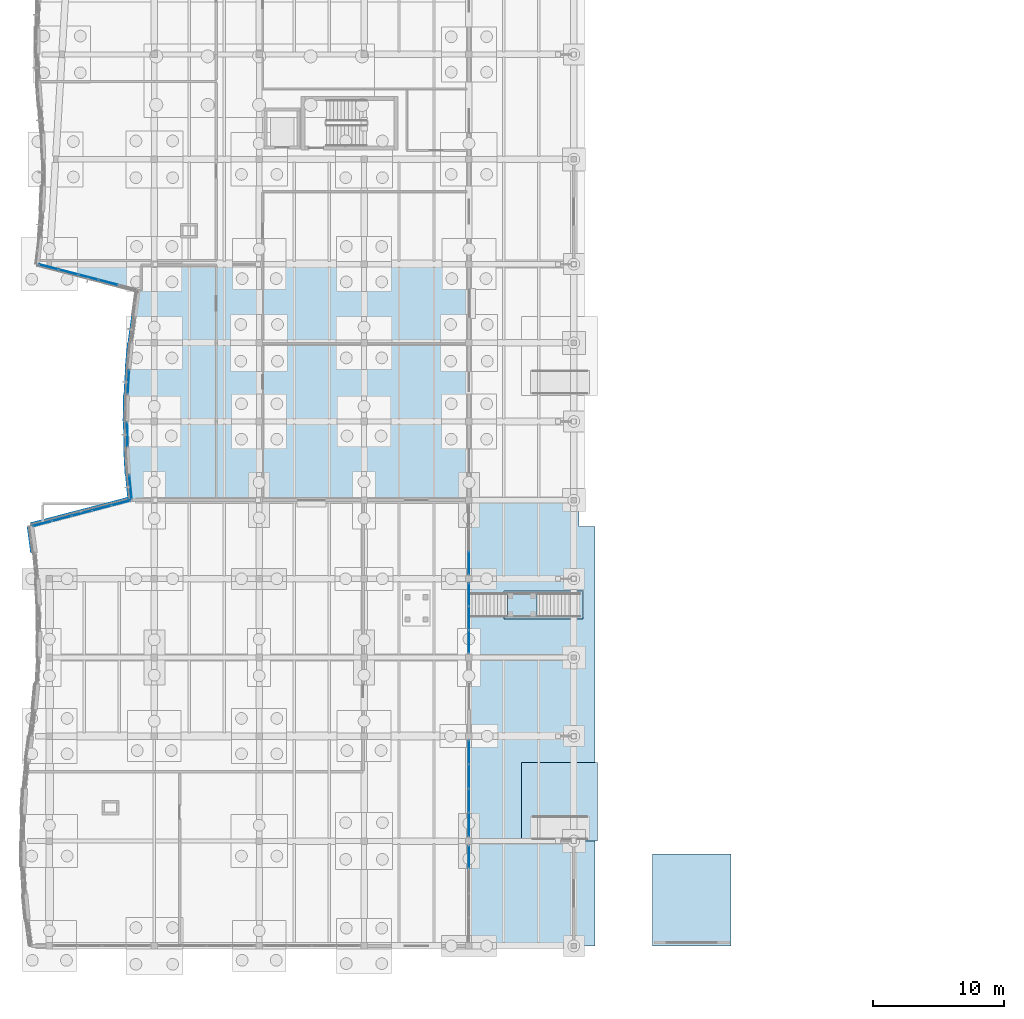
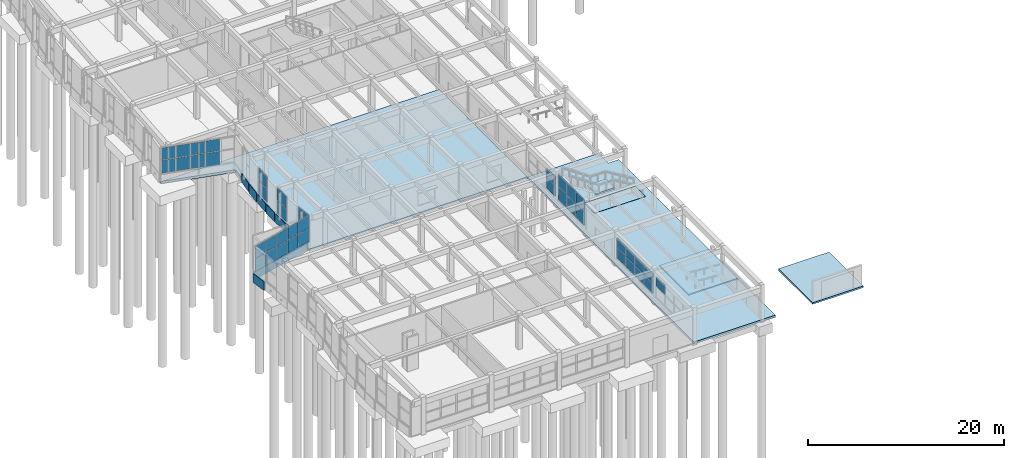
# One storey, part 51 of 99: 50 plates, 6 slabs, 10 elements without a shape of their own.
"""IFC4 building model written with IfcOpenShell, lengths in metres."""

from ifc_helpers import new_model, si_unit, direction, frame, origin, origin_2d, place, context, subcontext, project, spatial, polyline, rectangle, outline, extrude, material, layer, layer_set, type_object, element, aggregate, save


model = new_model("IFC4")

# Units and contexts
model_context = context("Model", 3, precision=1e-05, world=origin(), true_north=direction((0.0, 1.0)))
body_context = subcontext(model_context, "Body", "Model", "MODEL_VIEW")
ifc_project = project(units=[si_unit("LENGTHUNIT", "METRE"), si_unit("AREAUNIT", "SQUARE_METRE"), si_unit("VOLUMEUNIT", "CUBIC_METRE"), si_unit("PLANEANGLEUNIT", "RADIAN"), si_unit("MASSUNIT", "GRAM", prefix="KILO")], contexts=[model_context])

# Site, building, storey
site_placement = place(None, origin())
site = spatial("IfcSite", under=ifc_project, at=site_placement, CompositionType="ELEMENT")
building_placement = place(site_placement, origin())
building = spatial("IfcBuilding", under=site, at=building_placement, Name="Tonlespit Floodbar School", CompositionType="ELEMENT")
storey_placement = place(building_placement, origin())
storey = spatial("IfcBuildingStorey", under=building, at=storey_placement, Name="L00", CompositionType="ELEMENT", Elevation=0.0)

# Curtain wall, plates
ifc_material_1 = material(Name="Anodised Aluminium", Category="aluminium")
ifc_layer_1 = layer(ifc_material_1, 0.159912109375)
ifc_layer_set_1 = layer_set([ifc_layer_1], Name="Anodised Aluminium")
curtain_wall_type_1 = type_object("IfcCurtainWallType", Name="CurtainWall_1900x3300", PredefinedType="NOTDEFINED", material=ifc_layer_set_1)
curtain_wall_1_placement = place(storey_placement, origin())
curtain_wall_1 = element("IfcCurtainWall", 1, at=curtain_wall_1_placement, inside=storey, type_object=curtain_wall_type_1, Name="L00 unitised curtain wall 0253", PredefinedType="NOTDEFINED")
ifc_material_2 = material(Name="Laminated Low-E Glass", Category="glass")
ifc_layer_2 = layer(ifc_material_2, 0.028076171875)
ifc_layer_set_2 = layer_set([ifc_layer_2], Name="Laminated Low-E Glass")
plate_type_1 = type_object("IfcPlateType", Name="CW_Panel_Glaz_28", PredefinedType="CURTAIN_PANEL", material=ifc_layer_set_2)
plate_1_placement = place(storey_placement, frame((10.027099609375, 47.0, 1.014892578125), z_axis=(0.0, 0.0, 1.0), x_axis=(0.057710137129, 0.998333381227, 0.0)))
plate_1 = element("IfcPlate", 2, at=plate_1_placement, type_object=plate_type_1, Name="CW-02 panel 1.1", PredefinedType="CURTAIN_PANEL", context=body_context, shape_type="SweptSolid", body=[
    extrude(rectangle(XDim=1.79345703125, YDim=0.028076171875, at=origin_2d()), origin(), (0.0, 0.0, 1.0), 1.61328125),
])
plate_2_placement = place(storey_placement, frame((10.027099609375, 47.0, 2.693359375), z_axis=(0.0, 0.0, 1.0), x_axis=(0.057710137129, 0.998333381227, 0.0)))
plate_2 = element("IfcPlate", 3, at=plate_2_placement, type_object=plate_type_1, Name="CW-02 panel 1.2", PredefinedType="CURTAIN_PANEL", context=body_context, shape_type="SweptSolid", body=[
    extrude(rectangle(XDim=1.79345703125, YDim=0.028076171875, at=origin_2d()), origin(), (0.0, 0.0, 1.0), 1.481689453125),
])
aggregate(curtain_wall_1, [plate_1, plate_2])

ifc_layer_3 = layer(ifc_material_1, 0.159912109375)
ifc_layer_set_3 = layer_set([ifc_layer_3], Name="Anodised Aluminium")
curtain_wall_type_2 = type_object("IfcCurtainWallType", Name="CurtainWall_5400x3300", PredefinedType="NOTDEFINED", material=ifc_layer_set_3)
curtain_wall_2_placement = place(storey_placement, origin())
curtain_wall_2 = element("IfcCurtainWall", 4, at=curtain_wall_2_placement, inside=storey, type_object=curtain_wall_type_2, Name="L00 unitised curtain wall 0509", PredefinedType="NOTDEFINED")
plate_3_placement = place(storey_placement, frame((36.0, 30.79052734375, 1.014892578125), z_axis=(0.0, 0.0, 1.0), x_axis=(0.0, -1.0, 0.0)))
plate_3 = element("IfcPlate", 5, at=plate_3_placement, type_object=plate_type_1, Name="CW-83 panel 1.1", PredefinedType="CURTAIN_PANEL", context=body_context, shape_type="SweptSolid", body=[
    extrude(rectangle(XDim=1.709228515625, YDim=0.028076171875, at=origin_2d()), origin(), (0.0, 0.0, 1.0), 1.61328125),
])
plate_4_placement = place(storey_placement, frame((36.0, 30.79052734375, 2.693359375), z_axis=(0.0, 0.0, 1.0), x_axis=(0.0, -1.0, 0.0)))
plate_4 = element("IfcPlate", 6, at=plate_4_placement, type_object=plate_type_1, Name="CW-83 panel 1.2", PredefinedType="CURTAIN_PANEL", context=body_context, shape_type="SweptSolid", body=[
    extrude(rectangle(XDim=1.709228515625, YDim=0.028076171875, at=origin_2d()), origin(), (0.0, 0.0, 1.0), 1.481689453125),
])
plate_5_placement = place(storey_placement, frame((36.0, 29.0, 1.014892578125), z_axis=(0.0, 0.0, 1.0), x_axis=(0.0, -1.0, 0.0)))
plate_5 = element("IfcPlate", 7, at=plate_5_placement, type_object=plate_type_1, Name="CW-83 panel 2.1", PredefinedType="CURTAIN_PANEL", context=body_context, shape_type="SweptSolid", body=[
    extrude(rectangle(XDim=1.74169921875, YDim=0.028076171875, at=origin_2d()), origin(), (0.0, 0.0, 1.0), 1.61328125),
])
plate_6_placement = place(storey_placement, frame((36.0, 29.0, 2.693359375), z_axis=(0.0, 0.0, 1.0), x_axis=(0.0, -1.0, 0.0)))
plate_6 = element("IfcPlate", 8, at=plate_6_placement, type_object=plate_type_1, Name="CW-83 panel 2.2", PredefinedType="CURTAIN_PANEL", context=body_context, shape_type="SweptSolid", body=[
    extrude(rectangle(XDim=1.74169921875, YDim=0.028076171875, at=origin_2d()), origin(), (0.0, 0.0, 1.0), 1.481689453125),
])
plate_7_placement = place(storey_placement, frame((36.0, 27.20947265625, 1.014892578125), z_axis=(0.0, 0.0, 1.0), x_axis=(0.0, -1.0, 0.0)))
plate_7 = element("IfcPlate", 9, at=plate_7_placement, type_object=plate_type_1, Name="CW-83 panel 3.1", PredefinedType="CURTAIN_PANEL", context=body_context, shape_type="SweptSolid", body=[
    extrude(rectangle(XDim=1.709228515625, YDim=0.028076171875, at=origin_2d()), origin(), (0.0, 0.0, 1.0), 1.61328125),
])
plate_8_placement = place(storey_placement, frame((36.0, 27.20947265625, 2.693359375), z_axis=(0.0, 0.0, 1.0), x_axis=(0.0, -1.0, 0.0)))
plate_8 = element("IfcPlate", 10, at=plate_8_placement, type_object=plate_type_1, Name="CW-83 panel 3.2", PredefinedType="CURTAIN_PANEL", context=body_context, shape_type="SweptSolid", body=[
    extrude(rectangle(XDim=1.709228515625, YDim=0.028076171875, at=origin_2d()), origin(), (0.0, 0.0, 1.0), 1.481689453125),
])
aggregate(curtain_wall_2, [plate_3, plate_4, plate_5, plate_6, plate_7, plate_8])

ifc_layer_4 = layer(ifc_material_1, 0.159912109375)
ifc_layer_set_4 = layer_set([ifc_layer_4], Name="Anodised Aluminium")
curtain_wall_type_3 = type_object("IfcCurtainWallType", Name="CurtainWall_7400x2650", PredefinedType="NOTDEFINED", material=ifc_layer_set_4)
curtain_wall_3_placement = place(storey_placement, origin())
curtain_wall_3 = element("IfcCurtainWall", 11, at=curtain_wall_3_placement, inside=storey, type_object=curtain_wall_type_3, Name="L00 unitised curtain wall 0510", PredefinedType="NOTDEFINED")
ifc_layer_5 = layer(ifc_material_2, 0.031982421875)
ifc_layer_set_5 = layer_set([ifc_layer_5], Name="Laminated Low-E Glass")
plate_type_2 = type_object("IfcPlateType", Name="CW_Panel_Glaz_32", PredefinedType="CURTAIN_PANEL", material=ifc_layer_set_5)
plate_9_placement = place(storey_placement, frame((36.0, 18.766357421875, 1.014892578125), z_axis=(0.0, 0.0, 1.0), x_axis=(0.0, -1.0, 0.0)))
plate_9 = element("IfcPlate", 12, at=plate_9_placement, type_object=plate_type_2, Name="CW-34 panel 1.1", PredefinedType="CURTAIN_PANEL", context=body_context, shape_type="SweptSolid", body=[
    extrude(rectangle(XDim=1.757568359375, YDim=0.031982421875, at=origin_2d()), origin(), (0.0, 0.0, 1.0), 1.275390625),
])
plate_10_placement = place(storey_placement, frame((36.0, 18.766357421875, 2.35546875), z_axis=(0.0, 0.0, 1.0), x_axis=(0.0, -1.0, 0.0)))
plate_10 = element("IfcPlate", 13, at=plate_10_placement, type_object=plate_type_2, Name="CW-34 panel 1.2", PredefinedType="CURTAIN_PANEL", context=body_context, shape_type="SweptSolid", body=[
    extrude(rectangle(XDim=1.757568359375, YDim=0.031982421875, at=origin_2d()), origin(), (0.0, 0.0, 1.0), 1.169677734375),
])
plate_11_placement = place(storey_placement, frame((36.0, 16.927490234375, 1.014892578125), z_axis=(0.0, 0.0, 1.0), x_axis=(0.0, -1.0, 0.0)))
plate_11 = element("IfcPlate", 14, at=plate_11_placement, type_object=plate_type_2, Name="CW-34 panel 2.1", PredefinedType="CURTAIN_PANEL", context=body_context, shape_type="SweptSolid", body=[
    extrude(rectangle(XDim=1.7900390625, YDim=0.031982421875, at=origin_2d()), origin(), (0.0, 0.0, 1.0), 1.275390625),
])
plate_12_placement = place(storey_placement, frame((36.0, 16.927490234375, 2.35546875), z_axis=(0.0, 0.0, 1.0), x_axis=(0.0, -1.0, 0.0)))
plate_12 = element("IfcPlate", 15, at=plate_12_placement, type_object=plate_type_2, Name="CW-34 panel 2.2", PredefinedType="CURTAIN_PANEL", context=body_context, shape_type="SweptSolid", body=[
    extrude(rectangle(XDim=1.7900390625, YDim=0.031982421875, at=origin_2d()), origin(), (0.0, 0.0, 1.0), 1.169677734375),
])
plate_13_placement = place(storey_placement, frame((36.0, 15.072509765625, 1.014892578125), z_axis=(0.0, 0.0, 1.0), x_axis=(0.0, -1.0, 0.0)))
plate_13 = element("IfcPlate", 16, at=plate_13_placement, type_object=plate_type_2, Name="CW-34 panel 3.1", PredefinedType="CURTAIN_PANEL", context=body_context, shape_type="SweptSolid", body=[
    extrude(rectangle(XDim=1.7900390625, YDim=0.031982421875, at=origin_2d()), origin(), (0.0, 0.0, 1.0), 1.275390625),
])
plate_14_placement = place(storey_placement, frame((36.0, 15.072509765625, 2.35546875), z_axis=(0.0, 0.0, 1.0), x_axis=(0.0, -1.0, 0.0)))
plate_14 = element("IfcPlate", 17, at=plate_14_placement, type_object=plate_type_2, Name="CW-34 panel 3.2", PredefinedType="CURTAIN_PANEL", context=body_context, shape_type="SweptSolid", body=[
    extrude(rectangle(XDim=1.7900390625, YDim=0.031982421875, at=origin_2d()), origin(), (0.0, 0.0, 1.0), 1.169677734375),
])
plate_15_placement = place(storey_placement, frame((36.0, 13.233642578125, 1.014892578125), z_axis=(0.0, 0.0, 1.0), x_axis=(0.0, -1.0, 0.0)))
plate_15 = element("IfcPlate", 18, at=plate_15_placement, type_object=plate_type_2, Name="CW-34 panel 4.1", PredefinedType="CURTAIN_PANEL", context=body_context, shape_type="SweptSolid", body=[
    extrude(rectangle(XDim=1.757568359375, YDim=0.031982421875, at=origin_2d()), origin(), (0.0, 0.0, 1.0), 1.275390625),
])
plate_16_placement = place(storey_placement, frame((36.0, 13.233642578125, 2.35546875), z_axis=(0.0, 0.0, 1.0), x_axis=(0.0, -1.0, 0.0)))
plate_16 = element("IfcPlate", 19, at=plate_16_placement, type_object=plate_type_2, Name="CW-34 panel 4.2", PredefinedType="CURTAIN_PANEL", context=body_context, shape_type="SweptSolid", body=[
    extrude(rectangle(XDim=1.757568359375, YDim=0.031982421875, at=origin_2d()), origin(), (0.0, 0.0, 1.0), 1.169677734375),
])
aggregate(curtain_wall_3, [plate_9, plate_10, plate_11, plate_12, plate_13, plate_14, plate_15, plate_16])

ifc_layer_6 = layer(ifc_material_1, 0.159912109375)
ifc_layer_set_6 = layer_set([ifc_layer_6], Name="Anodised Aluminium")
curtain_wall_type_4 = type_object("IfcCurtainWallType", Name="CurtainWall_1950x3300", PredefinedType="NOTDEFINED", material=ifc_layer_set_6)
curtain_wall_4_placement = place(storey_placement, origin())
curtain_wall_4 = element("IfcCurtainWall", 20, at=curtain_wall_4_placement, inside=storey, type_object=curtain_wall_type_4, Name="L00 unitised curtain wall 0251", PredefinedType="NOTDEFINED")
ifc_layer_7 = layer(ifc_material_2, 0.035888671875)
ifc_layer_set_7 = layer_set([ifc_layer_7], Name="Laminated Low-E Glass")
plate_type_3 = type_object("IfcPlateType", Name="CW_Panel_Glaz_36", PredefinedType="CURTAIN_PANEL", material=ifc_layer_set_7)
plate_17_placement = place(storey_placement, frame((10.181640625, 39.0, 1.014892578125), z_axis=(0.0, 0.0, 1.0), x_axis=(-0.096198303585, 0.995362188546, 0.0)))
plate_17 = element("IfcPlate", 21, at=plate_17_placement, type_object=plate_type_3, Name="CW-01 panel 1.1", PredefinedType="CURTAIN_PANEL", context=body_context, shape_type="SweptSolid", body=[
    extrude(rectangle(XDim=1.79931640625, YDim=0.035888671875, at=origin_2d()), origin(), (0.0, 0.0, 1.0), 1.61328125),
])
plate_18_placement = place(storey_placement, frame((10.181640625, 39.0, 2.693359375), z_axis=(0.0, 0.0, 1.0), x_axis=(-0.096198303585, 0.995362188546, 0.0)))
plate_18 = element("IfcPlate", 22, at=plate_18_placement, type_object=plate_type_3, Name="CW-01 panel 1.2", PredefinedType="CURTAIN_PANEL", context=body_context, shape_type="SweptSolid", body=[
    extrude(rectangle(XDim=1.79931640625, YDim=0.035888671875, at=origin_2d()), origin(), (0.0, 0.0, 1.0), 1.481689453125),
])
aggregate(curtain_wall_4, [plate_17, plate_18])

ifc_layer_8 = layer(ifc_material_1, 0.159912109375)
ifc_layer_set_8 = layer_set([ifc_layer_8], Name="Anodised Aluminium")
curtain_wall_type_5 = type_object("IfcCurtainWallType", Name="CurtainWall_7900x3300", PredefinedType="NOTDEFINED", material=ifc_layer_set_8)
curtain_wall_5_placement = place(storey_placement, origin())
curtain_wall_5 = element("IfcCurtainWall", 23, at=curtain_wall_5_placement, inside=storey, type_object=curtain_wall_type_5, Name="L00 unitised curtain wall 0255", PredefinedType="NOTDEFINED")
plate_19_placement = place(storey_placement, frame((8.494384765625, 54.60400390625, 1.014892578125), z_axis=(0.0, 0.0, 1.0), x_axis=(-0.967934999685, 0.25120078898, 0.0)))
plate_19 = element("IfcPlate", 24, at=plate_19_placement, type_object=plate_type_3, Name="CW-33 panel 2.1", PredefinedType="CURTAIN_PANEL", context=body_context, shape_type="SweptSolid", body=[
    extrude(rectangle(XDim=1.511474609375, YDim=0.035888671875, at=origin_2d()), origin(), (0.0, 0.0, 1.0), 1.61328125),
])
plate_20_placement = place(storey_placement, frame((8.494384765625, 54.60400390625, 2.693359375), z_axis=(0.0, 0.0, 1.0), x_axis=(-0.967934999685, 0.25120078898, 0.0)))
plate_20 = element("IfcPlate", 25, at=plate_20_placement, type_object=plate_type_3, Name="CW-33 panel 2.2", PredefinedType="CURTAIN_PANEL", context=body_context, shape_type="SweptSolid", body=[
    extrude(rectangle(XDim=1.511474609375, YDim=0.035888671875, at=origin_2d()), origin(), (0.0, 0.0, 1.0), 1.481689453125),
])
plate_21_placement = place(storey_placement, frame((6.968505859375, 55.0, 1.014892578125), z_axis=(0.0, 0.0, 1.0), x_axis=(-0.967934999685, 0.25120078898, 0.0)))
plate_21 = element("IfcPlate", 26, at=plate_21_placement, type_object=plate_type_3, Name="CW-33 panel 3.1", PredefinedType="CURTAIN_PANEL", context=body_context, shape_type="SweptSolid", body=[
    extrude(rectangle(XDim=1.511474609375, YDim=0.035888671875, at=origin_2d()), origin(), (0.0, 0.0, 1.0), 1.61328125),
])
plate_22_placement = place(storey_placement, frame((6.968505859375, 55.0, 2.693359375), z_axis=(0.0, 0.0, 1.0), x_axis=(-0.967934999685, 0.25120078898, 0.0)))
plate_22 = element("IfcPlate", 27, at=plate_22_placement, type_object=plate_type_3, Name="CW-33 panel 3.2", PredefinedType="CURTAIN_PANEL", context=body_context, shape_type="SweptSolid", body=[
    extrude(rectangle(XDim=1.511474609375, YDim=0.035888671875, at=origin_2d()), origin(), (0.0, 0.0, 1.0), 1.481689453125),
])
plate_23_placement = place(storey_placement, frame((5.442626953125, 55.39599609375, 1.014892578125), z_axis=(0.0, 0.0, 1.0), x_axis=(-0.967934999685, 0.25120078898, 0.0)))
plate_23 = element("IfcPlate", 28, at=plate_23_placement, type_object=plate_type_3, Name="CW-33 panel 4.1", PredefinedType="CURTAIN_PANEL", context=body_context, shape_type="SweptSolid", body=[
    extrude(rectangle(XDim=1.511474609375, YDim=0.035888671875, at=origin_2d()), origin(), (0.0, 0.0, 1.0), 1.61328125),
])
plate_24_placement = place(storey_placement, frame((5.442626953125, 55.39599609375, 2.693359375), z_axis=(0.0, 0.0, 1.0), x_axis=(-0.967934999685, 0.25120078898, 0.0)))
plate_24 = element("IfcPlate", 29, at=plate_24_placement, type_object=plate_type_3, Name="CW-33 panel 4.2", PredefinedType="CURTAIN_PANEL", context=body_context, shape_type="SweptSolid", body=[
    extrude(rectangle(XDim=1.511474609375, YDim=0.035888671875, at=origin_2d()), origin(), (0.0, 0.0, 1.0), 1.481689453125),
])
plate_25_placement = place(storey_placement, frame((3.932373046875, 55.787841796875, 1.014892578125), z_axis=(0.0, 0.0, 1.0), x_axis=(-0.967934999685, 0.25120078898, 0.0)))
plate_25 = element("IfcPlate", 30, at=plate_25_placement, type_object=plate_type_3, Name="CW-33 panel 5.1", PredefinedType="CURTAIN_PANEL", context=body_context, shape_type="SweptSolid", body=[
    extrude(rectangle(XDim=1.47900390625, YDim=0.035888671875, at=origin_2d()), origin(), (0.0, 0.0, 1.0), 1.61328125),
])
plate_26_placement = place(storey_placement, frame((3.932373046875, 55.787841796875, 2.693359375), z_axis=(0.0, 0.0, 1.0), x_axis=(-0.967934999685, 0.25120078898, 0.0)))
plate_26 = element("IfcPlate", 31, at=plate_26_placement, type_object=plate_type_3, Name="CW-33 panel 5.2", PredefinedType="CURTAIN_PANEL", context=body_context, shape_type="SweptSolid", body=[
    extrude(rectangle(XDim=1.47900390625, YDim=0.035888671875, at=origin_2d()), origin(), (0.0, 0.0, 1.0), 1.481689453125),
])
aggregate(curtain_wall_5, [plate_19, plate_20, plate_21, plate_22, plate_23, plate_24, plate_25, plate_26])

# Curtain wall, plate
curtain_wall_6_placement = place(storey_placement, origin())
curtain_wall_6 = element("IfcCurtainWall", 32, at=curtain_wall_6_placement, inside=storey, type_object=curtain_wall_type_3, Name="L00 unitised curtain wall 0511", PredefinedType="NOTDEFINED")
plate_27_placement = place(storey_placement, frame((36.0, 10.766357421875, 2.35546875), z_axis=(0.0, 0.0, 1.0), x_axis=(0.0, -1.0, 0.0)))
plate_27 = element("IfcPlate", 33, at=plate_27_placement, type_object=plate_type_3, Name="CW-34 panel 1.2", PredefinedType="CURTAIN_PANEL", context=body_context, shape_type="SweptSolid", body=[
    extrude(rectangle(XDim=1.757568359375, YDim=0.035888671875, at=origin_2d()), origin(), (0.0, 0.0, 1.0), 1.169677734375),
])
aggregate(curtain_wall_6, [plate_27])

# Curtain wall, plates
curtain_wall_7_placement = place(storey_placement, origin())
curtain_wall_7 = element("IfcCurtainWall", 34, at=curtain_wall_7_placement, inside=storey, type_object=curtain_wall_type_1, Name="L00 unitised curtain wall 0252", PredefinedType="NOTDEFINED")
ifc_layer_9 = layer(ifc_material_2, 0.0419921875)
ifc_layer_set_9 = layer_set([ifc_layer_9], Name="Laminated Low-E Glass")
plate_type_4 = type_object("IfcPlateType", Name="CW_Panel_Glaz_42", PredefinedType="CURTAIN_PANEL", material=ifc_layer_set_9)
plate_28_placement = place(storey_placement, frame((9.9501953125, 43.0, 1.014892578125), z_axis=(0.0, 0.0, 1.0), x_axis=(-0.019215201653, 0.999815370969, 0.0)))
plate_28 = element("IfcPlate", 35, at=plate_28_placement, type_object=plate_type_4, Name="CW-02 panel 1.1", PredefinedType="CURTAIN_PANEL", context=body_context, shape_type="SweptSolid", body=[
    extrude(rectangle(XDim=1.790283203125, YDim=0.0419921875, at=origin_2d()), origin(), (0.0, 0.0, 1.0), 1.61328125),
])
plate_29_placement = place(storey_placement, frame((9.9501953125, 43.0, 2.693359375), z_axis=(0.0, 0.0, 1.0), x_axis=(-0.019215201653, 0.999815370969, 0.0)))
plate_29 = element("IfcPlate", 36, at=plate_29_placement, type_object=plate_type_4, Name="CW-02 panel 1.2", PredefinedType="CURTAIN_PANEL", context=body_context, shape_type="SweptSolid", body=[
    extrude(rectangle(XDim=1.790283203125, YDim=0.0419921875, at=origin_2d()), origin(), (0.0, 0.0, 1.0), 1.481689453125),
])
aggregate(curtain_wall_7, [plate_28, plate_29])

ifc_layer_10 = layer(ifc_material_1, 0.159912109375)
ifc_layer_set_10 = layer_set([ifc_layer_10], Name="Anodised Aluminium")
curtain_wall_type_6 = type_object("IfcCurtainWallType", Name="CurtainWall_7800x3300", PredefinedType="NOTDEFINED", material=ifc_layer_set_10)
curtain_wall_8_placement = place(storey_placement, origin())
curtain_wall_8 = element("IfcCurtainWall", 37, at=curtain_wall_8_placement, inside=storey, type_object=curtain_wall_type_6, Name="L00 unitised curtain wall 0504", PredefinedType="NOTDEFINED")
plate_30_placement = place(storey_placement, frame((3.45947265625, 36.212158203125, 1.014892578125), z_axis=(0.0, 0.0, 1.0), x_axis=(0.967302812786, 0.253624266142, 0.0)))
plate_30 = element("IfcPlate", 38, at=plate_30_placement, type_object=plate_type_4, Name="CW-81 panel 1.1", PredefinedType="CURTAIN_PANEL", context=body_context, shape_type="SweptSolid", body=[
    extrude(rectangle(XDim=1.463623046875, YDim=0.0419921875, at=origin_2d()), origin(), (0.0, 0.0, 1.0), 1.61328125),
])
plate_31_placement = place(storey_placement, frame((3.45947265625, 36.212158203125, 2.693359375), z_axis=(0.0, 0.0, 1.0), x_axis=(0.967302812786, 0.253624266142, 0.0)))
plate_31 = element("IfcPlate", 39, at=plate_31_placement, type_object=plate_type_4, Name="CW-81 panel 1.2", PredefinedType="CURTAIN_PANEL", context=body_context, shape_type="SweptSolid", body=[
    extrude(rectangle(XDim=1.463623046875, YDim=0.0419921875, at=origin_2d()), origin(), (0.0, 0.0, 1.0), 1.481689453125),
])
plate_32_placement = place(storey_placement, frame((4.953857421875, 36.60400390625, 1.014892578125), z_axis=(0.0, 0.0, 1.0), x_axis=(0.967302812786, 0.253624266142, 0.0)))
plate_32 = element("IfcPlate", 40, at=plate_32_placement, type_object=plate_type_4, Name="CW-81 panel 2.1", PredefinedType="CURTAIN_PANEL", context=body_context, shape_type="SweptSolid", body=[
    extrude(rectangle(XDim=1.49609375, YDim=0.0419921875, at=origin_2d()), origin(), (0.0, 0.0, 1.0), 1.61328125),
])
plate_33_placement = place(storey_placement, frame((4.953857421875, 36.60400390625, 2.693359375), z_axis=(0.0, 0.0, 1.0), x_axis=(0.967302812786, 0.253624266142, 0.0)))
plate_33 = element("IfcPlate", 41, at=plate_33_placement, type_object=plate_type_4, Name="CW-81 panel 2.2", PredefinedType="CURTAIN_PANEL", context=body_context, shape_type="SweptSolid", body=[
    extrude(rectangle(XDim=1.49609375, YDim=0.0419921875, at=origin_2d()), origin(), (0.0, 0.0, 1.0), 1.481689453125),
])
plate_34_placement = place(storey_placement, frame((6.464111328125, 37.0, 1.014892578125), z_axis=(0.0, 0.0, 1.0), x_axis=(0.967302812786, 0.253624266142, 0.0)))
plate_34 = element("IfcPlate", 42, at=plate_34_placement, type_object=plate_type_4, Name="CW-81 panel 3.1", PredefinedType="CURTAIN_PANEL", context=body_context, shape_type="SweptSolid", body=[
    extrude(rectangle(XDim=1.49609375, YDim=0.0419921875, at=origin_2d()), origin(), (0.0, 0.0, 1.0), 1.61328125),
])
plate_35_placement = place(storey_placement, frame((6.464111328125, 37.0, 2.693359375), z_axis=(0.0, 0.0, 1.0), x_axis=(0.967302812786, 0.253624266142, 0.0)))
plate_35 = element("IfcPlate", 43, at=plate_35_placement, type_object=plate_type_4, Name="CW-81 panel 3.2", PredefinedType="CURTAIN_PANEL", context=body_context, shape_type="SweptSolid", body=[
    extrude(rectangle(XDim=1.49609375, YDim=0.0419921875, at=origin_2d()), origin(), (0.0, 0.0, 1.0), 1.481689453125),
])
plate_36_placement = place(storey_placement, frame((7.974365234375, 37.39599609375, 1.014892578125), z_axis=(0.0, 0.0, 1.0), x_axis=(0.967302812786, 0.253624266142, 0.0)))
plate_36 = element("IfcPlate", 44, at=plate_36_placement, type_object=plate_type_4, Name="CW-81 panel 4.1", PredefinedType="CURTAIN_PANEL", context=body_context, shape_type="SweptSolid", body=[
    extrude(rectangle(XDim=1.49609375, YDim=0.0419921875, at=origin_2d()), origin(), (0.0, 0.0, 1.0), 1.61328125),
])
plate_37_placement = place(storey_placement, frame((7.974365234375, 37.39599609375, 2.693359375), z_axis=(0.0, 0.0, 1.0), x_axis=(0.967302812786, 0.253624266142, 0.0)))
plate_37 = element("IfcPlate", 45, at=plate_37_placement, type_object=plate_type_4, Name="CW-81 panel 4.2", PredefinedType="CURTAIN_PANEL", context=body_context, shape_type="SweptSolid", body=[
    extrude(rectangle(XDim=1.49609375, YDim=0.0419921875, at=origin_2d()), origin(), (0.0, 0.0, 1.0), 1.481689453125),
])
plate_38_placement = place(storey_placement, frame((9.46875, 37.787841796875, 1.014892578125), z_axis=(0.0, 0.0, 1.0), x_axis=(0.967302812786, 0.253624266142, 0.0)))
plate_38 = element("IfcPlate", 46, at=plate_38_placement, type_object=plate_type_4, Name="CW-81 panel 5.1", PredefinedType="CURTAIN_PANEL", context=body_context, shape_type="SweptSolid", body=[
    extrude(rectangle(XDim=1.463623046875, YDim=0.0419921875, at=origin_2d()), origin(), (0.0, 0.0, 1.0), 1.61328125),
])
plate_39_placement = place(storey_placement, frame((9.46875, 37.787841796875, 2.693359375), z_axis=(0.0, 0.0, 1.0), x_axis=(0.967302812786, 0.253624266142, 0.0)))
plate_39 = element("IfcPlate", 47, at=plate_39_placement, type_object=plate_type_4, Name="CW-81 panel 5.2", PredefinedType="CURTAIN_PANEL", context=body_context, shape_type="SweptSolid", body=[
    extrude(rectangle(XDim=1.463623046875, YDim=0.0419921875, at=origin_2d()), origin(), (0.0, 0.0, 1.0), 1.481689453125),
])
aggregate(curtain_wall_8, [plate_30, plate_31, plate_32, plate_33, plate_34, plate_35, plate_36, plate_37, plate_38, plate_39])

ifc_layer_11 = layer(ifc_material_1, 0.159912109375)
ifc_layer_set_11 = layer_set([ifc_layer_11], Name="Anodised Aluminium")
curtain_wall_type_7 = type_object("IfcCurtainWallType", Name="CurtainWall_5400x2650", PredefinedType="NOTDEFINED", material=ifc_layer_set_11)
curtain_wall_9_placement = place(storey_placement, origin())
curtain_wall_9 = element("IfcCurtainWall", 48, at=curtain_wall_9_placement, inside=storey, type_object=curtain_wall_type_7, Name="L00 unitised curtain wall 0508", PredefinedType="NOTDEFINED")
plate_40_placement = place(storey_placement, frame((36.0, 33.20947265625, 1.014892578125), z_axis=(0.0, 0.0, 1.0), x_axis=(0.0, -1.0, 0.0)))
plate_40 = element("IfcPlate", 49, at=plate_40_placement, type_object=plate_type_4, Name="CW-82 panel 3.1", PredefinedType="CURTAIN_PANEL", context=body_context, shape_type="SweptSolid", body=[
    extrude(rectangle(XDim=1.709228515625, YDim=0.0419921875, at=origin_2d()), origin(), (0.0, 0.0, 1.0), 1.275390625),
])
plate_41_placement = place(storey_placement, frame((36.0, 33.20947265625, 2.35546875), z_axis=(0.0, 0.0, 1.0), x_axis=(0.0, -1.0, 0.0)))
plate_41 = element("IfcPlate", 50, at=plate_41_placement, type_object=plate_type_4, Name="CW-82 panel 3.2", PredefinedType="CURTAIN_PANEL", context=body_context, shape_type="SweptSolid", body=[
    extrude(rectangle(XDim=1.709228515625, YDim=0.0419921875, at=origin_2d()), origin(), (0.0, 0.0, 1.0), 1.169677734375),
])
aggregate(curtain_wall_9, [plate_40, plate_41])

# Plates
ifc_material_3 = material(Name="White Architectural Aluminium", Category="aluminium")
ifc_layer_12 = layer(ifc_material_3, 0.06494140625)
ifc_layer_set_12 = layer_set([ifc_layer_12], Name="White Architectural Aluminium")
plate_type_5 = type_object("IfcPlateType", Name="FacadeRibbon_White_65", PredefinedType="SHEET", material=ifc_layer_set_12)
plate_42_placement = place(storey_placement, frame((10.00048828125, 38.982421875, -0.1201171875), z_axis=(0.0, 0.0, 1.0), x_axis=(-0.096153248998, 0.995366541887, 0.0)))
element("IfcPlate", 51, at=plate_42_placement, inside=storey, type_object=plate_type_5, Name="L00 flowing white street spandrel ribbon 0485", PredefinedType="SHEET", context=body_context, shape_type="SweptSolid", body=[
    extrude(rectangle(XDim=1.849365234375, YDim=0.06494140625, at=origin_2d()), origin(), (0.0, 0.0, 1.0), 1.070068359375),
])
plate_43_placement = place(storey_placement, frame((9.815673828125, 40.98779296875, -0.1201171875), z_axis=(0.0, 0.0, 1.0), x_axis=(-0.057703421212, 0.998333769428, 0.0)))
element("IfcPlate", 52, at=plate_43_placement, inside=storey, type_object=plate_type_5, Name="L00 flowing white street spandrel ribbon 0486", PredefinedType="SHEET", context=body_context, shape_type="SweptSolid", body=[
    extrude(rectangle(XDim=1.84326171875, YDim=0.06494140625, at=origin_2d()), origin(), (0.0, 0.0, 1.0), 1.1201171875),
])
plate_44_placement = place(storey_placement, frame((9.768310546875, 42.99658203125, -0.1201171875), z_axis=(0.0, 0.0, 1.0), x_axis=(-0.01924630259, 0.999814772764, 0.0)))
element("IfcPlate", 53, at=plate_44_placement, inside=storey, type_object=plate_type_5, Name="L00 flowing white street spandrel ribbon 0487", PredefinedType="SHEET", context=body_context, shape_type="SweptSolid", body=[
    extrude(rectangle(XDim=1.84033203125, YDim=0.06494140625, at=origin_2d()), origin(), (0.0, 0.0, 1.0), 1.070068359375),
])
plate_45_placement = place(storey_placement, frame((9.73828125, 45.004150390625, -0.1201171875), z_axis=(0.0, 0.0, 1.0), x_axis=(0.01924630259, 0.999814772764, 0.0)))
element("IfcPlate", 54, at=plate_45_placement, inside=storey, type_object=plate_type_5, Name="L00 flowing white street spandrel ribbon 0488", PredefinedType="SHEET", context=body_context, shape_type="SweptSolid", body=[
    extrude(rectangle(XDim=1.84033203125, YDim=0.06494140625, at=origin_2d()), origin(), (0.0, 0.0, 1.0), 1.1201171875),
])
plate_46_placement = place(storey_placement, frame((9.845458984375, 47.010498046875, -0.1201171875), z_axis=(0.0, 0.0, 1.0), x_axis=(0.057703421212, 0.998333769428, 0.0)))
element("IfcPlate", 55, at=plate_46_placement, inside=storey, type_object=plate_type_5, Name="L00 flowing white street spandrel ribbon 0489", PredefinedType="SHEET", context=body_context, shape_type="SweptSolid", body=[
    extrude(rectangle(XDim=1.84326171875, YDim=0.06494140625, at=origin_2d()), origin(), (0.0, 0.0, 1.0), 1.070068359375),
])
plate_47_placement = place(storey_placement, frame((9.970703125, 49.0205078125, -0.1201171875), z_axis=(0.0, 0.0, 1.0), x_axis=(0.096153248998, 0.995366541887, 0.0)))
element("IfcPlate", 56, at=plate_47_placement, inside=storey, type_object=plate_type_5, Name="L00 flowing white street spandrel ribbon 0490", PredefinedType="SHEET", context=body_context, shape_type="SweptSolid", body=[
    extrude(rectangle(XDim=1.849365234375, YDim=0.06494140625, at=origin_2d()), origin(), (0.0, 0.0, 1.0), 1.1201171875),
])
plate_48_placement = place(storey_placement, frame((10.23388671875, 51.0244140625, -0.1201171875), z_axis=(0.0, 0.0, 1.0), x_axis=(0.134662424626, 0.990891533617, 0.0)))
element("IfcPlate", 57, at=plate_48_placement, inside=storey, type_object=plate_type_5, Name="L00 flowing white street spandrel ribbon 0491", PredefinedType="SHEET", context=body_context, shape_type="SweptSolid", body=[
    extrude(rectangle(XDim=1.8583984375, YDim=0.06494140625, at=origin_2d()), origin(), (0.0, 0.0, 1.0), 1.070068359375),
])
plate_49_placement = place(storey_placement, frame((2.546142578125, 34.96728515625, -0.1201171875), z_axis=(0.0, 0.0, 1.0), x_axis=(-0.134662424626, 0.990891533617, 0.0)))
element("IfcPlate", 58, at=plate_49_placement, inside=storey, type_object=plate_type_5, Name="L00 flowing white street spandrel ribbon 0761", PredefinedType="SHEET", context=body_context, shape_type="SweptSolid", body=[
    extrude(rectangle(XDim=1.8583984375, YDim=0.06494140625, at=origin_2d()), origin(), (0.0, 0.0, 1.0), 1.1201171875),
])
plate_50_placement = place(storey_placement, frame((6.41796875, 37.176025390625, -0.1201171875), z_axis=(0.0, 0.0, 1.0), x_axis=(0.96730583052, 0.253612756466, 0.0)))
element("IfcPlate", 59, at=plate_50_placement, inside=storey, type_object=plate_type_5, Name="L00 flowing white street spandrel ribbon 0762", PredefinedType="SHEET", context=body_context, shape_type="SweptSolid", body=[
    extrude(rectangle(XDim=7.72607421875, YDim=0.06494140625, at=origin_2d()), origin(), (0.0, 0.0, 1.0), 1.070068359375),
])

# Stair, slab
ifc_material_4 = material(Name="Glulam GL28h", Category="wood")
stair_type = type_object("IfcStairType", Name="Stair_Feature_1800", PredefinedType="STRAIGHT_RUN_STAIR", material=ifc_material_4)
stair_placement = place(storey_placement, origin())
stair = element("IfcStair", 60, at=stair_placement, inside=storey, type_object=stair_type, Name="L00 stair ST-D1", PredefinedType="STRAIGHT_RUN_STAIR")
ifc_material_5 = material(Name="White Architectural Precast concrete C40/50", Category="concrete")
ifc_layer_13 = layer(ifc_material_5, 0.199951171875)
ifc_layer_set_13 = layer_set([ifc_layer_13], Name="White Architectural Precast concrete C40/50")
slab_type_1 = type_object("IfcSlabType", Name="Landing_Court_RC215", PredefinedType="LANDING", material=ifc_layer_set_13)
slab_1_placement = place(storey_placement, frame((0.0, 0.0, 2.050048828125)))
slab_1 = element("IfcSlab", 61, at=slab_1_placement, type_object=slab_type_1, Name="ST-D1 landing 1", PredefinedType="LANDING", context=body_context, shape_type="SweptSolid", body=[
    extrude(outline(polyline([(41.179931640625, 30.89990234375), (38.93994140625, 30.89990234375), (38.93994140625, 29.10009765625), (41.179931640625, 29.10009765625), (41.179931640625, 30.89990234375)])), origin(), (0.0, 0.0, 1.0), 0.199951171875),
])
aggregate(stair, [slab_1])

# Slabs
ifc_material_6 = material(Name="Concrete C40/50", Category="concrete")
ifc_layer_14 = layer(ifc_material_6, 0.159912109375)
ifc_layer_set_14 = layer_set([ifc_layer_14], Name="Concrete C40/50")
slab_type_2 = type_object("IfcSlabType", Name="Slab_Apron_RC_160", PredefinedType="BASESLAB", material=ifc_layer_set_14)
slab_2_placement = place(storey_placement, frame((0.0, 0.0, -0.4599609375)))
element("IfcSlab", 62, at=slab_2_placement, inside=storey, type_object=slab_type_2, Name="Entrance ramp lower apron APR-W1", PredefinedType="BASESLAB", context=body_context, shape_type="SweptSolid", body=[
    extrude(outline(polyline([(40.0, 12.0), (45.800048828125, 12.0), (45.800048828125, 18.0), (40.0, 18.0), (40.0, 12.0)])), origin(), (0.0, 0.0, 1.0), 0.159912109375),
])
ifc_layer_15 = layer(ifc_material_6, 0.330078125)
ifc_layer_set_15 = layer_set([ifc_layer_15], Name="Concrete C40/50")
slab_type_3 = type_object("IfcSlabType", Name="Slab_Base_Tank_RC_320", PredefinedType="BASESLAB", material=ifc_layer_set_15)
slab_3_placement = place(storey_placement, frame((0.0, 0.0, -0.330078125)))
element("IfcSlab", 63, at=slab_3_placement, inside=storey, type_object=slab_type_3, Name="L00 V2 L00 south STEAM lab slab", PredefinedType="BASESLAB", context=body_context, shape_type="SweptSolid", body=[
    extrude(outline(polyline([(3.114990234375, 56.0), (36.0, 56.0), (36.0, 38.0), (10.2783203125, 38.0), (9.969482421875, 42.0), (9.969482421875, 46.0), (10.2783203125, 50.0), (10.82177734375, 54.0), (3.114990234375, 56.0)])), origin(), (0.0, 0.0, 1.0), 0.330078125),
])
ifc_layer_16 = layer(ifc_material_6, 0.27001953125)
ifc_layer_set_16 = layer_set([ifc_layer_16], Name="Concrete C40/50")
slab_type_4 = type_object("IfcSlabType", Name="Slab_Colonnade_RC_180", PredefinedType="FLOOR", material=ifc_layer_set_16)
slab_4_placement = place(storey_placement, frame((0.0, 0.0, -0.27001953125)))
element("IfcSlab", 64, at=slab_4_placement, inside=storey, type_object=slab_type_4, Name="L00 V5 west south square plaza deck", PredefinedType="FLOOR", context=body_context, shape_type="SweptSolid", body=[
    extrude(outline(polyline([(36.0, 38.0), (44.39990234375, 38.0), (44.39990234375, 36.0), (45.60009765625, 36.0), (45.60009765625, 4.0), (36.0, 4.0), (36.0, 38.0)]), holes=[polyline([(38.659912109375, 28.949951171875), (44.71875, 28.92138671875), (44.73876953125, 31.05859375), (38.681396484375, 31.07861328125), (38.659912109375, 28.949951171875)])]), origin(), (0.0, 0.0, 1.0), 0.27001953125),
])
ifc_layer_17 = layer(ifc_material_6, 0.449951171875)
ifc_layer_set_17 = layer_set([ifc_layer_17], Name="Concrete C40/50")
slab_type_5 = type_object("IfcSlabType", Name="Slab_StairPlinth_RC450", PredefinedType="BASESLAB", material=ifc_layer_set_17)
slab_5_placement = place(storey_placement, frame((0.0, 0.0, -0.449951171875)))
element("IfcSlab", 65, at=slab_5_placement, inside=storey, type_object=slab_type_5, Name="Stair ST-D1 foundation plinth", PredefinedType="BASESLAB", context=body_context, shape_type="SweptSolid", body=[
    extrude(outline(polyline([(44.7099609375, 31.050048828125), (38.68994140625, 31.050048828125), (38.68994140625, 28.949951171875), (44.7099609375, 28.949951171875), (44.7099609375, 31.050048828125)])), origin(), (0.0, 0.0, 1.0), 0.449951171875),
])
ifc_layer_18 = layer(ifc_material_6, 0.199951171875)
ifc_layer_set_18 = layer_set([ifc_layer_18], Name="Concrete C40/50")
slab_type_6 = type_object("IfcSlabType", Name="Slab_VehRamp_RC_200", PredefinedType="BASESLAB", material=ifc_layer_set_18)
slab_6_placement = place(storey_placement, frame((0.0, 0.0, -0.199951171875)))
element("IfcSlab", 66, at=slab_6_placement, inside=storey, type_object=slab_type_6, Name="Forecourt car park Concrete C40/50 vehicle entry ramp slab", PredefinedType="BASESLAB", context=body_context, shape_type="SweptSolid", body=[
    extrude(outline(polyline([(50.0, 4.0), (56.0, 4.0), (56.0, 11.0), (50.0, 11.0), (50.0, 4.0)])), origin(), (0.0, 0.0, 1.0), 0.199951171875),
])

save(model, "model.ifc")
